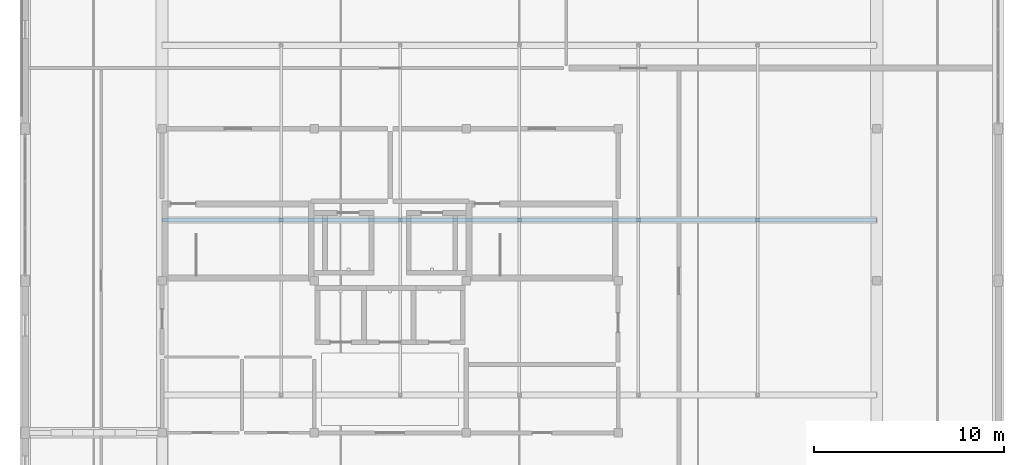
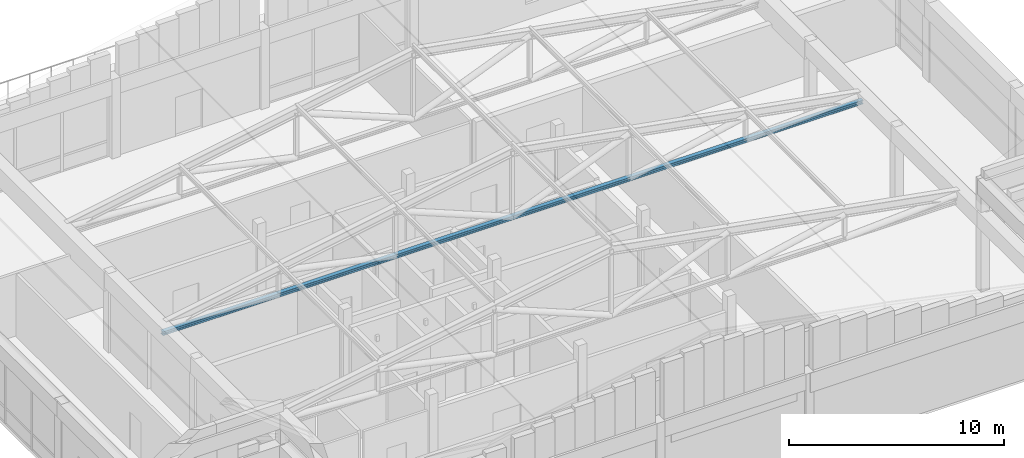
# One storey, part 8 of 24: 1 member.
"""IFC4 building model written with IfcOpenShell, lengths in metres."""

from ifc_helpers import new_model, si_unit, direction, frame, origin, origin_2d, place, context, subcontext, project, spatial, i_section, extrude, material, material_profile, profile_set, type_object, element, save


model = new_model("IFC4")

# Units and contexts
model_context = context("Model", 3, precision=1e-05, world=origin(), true_north=direction((0.0, 1.0)))
body_context = subcontext(model_context, "Body", "Model", "MODEL_VIEW")
ifc_project = project(units=[si_unit("LENGTHUNIT", "METRE"), si_unit("AREAUNIT", "SQUARE_METRE"), si_unit("VOLUMEUNIT", "CUBIC_METRE"), si_unit("PLANEANGLEUNIT", "RADIAN"), si_unit("MASSUNIT", "GRAM", prefix="KILO")], contexts=[model_context])

# Site, building, storey
site_placement = place(None, origin())
site = spatial("IfcSite", under=ifc_project, at=site_placement, CompositionType="ELEMENT")
building_placement = place(site_placement, origin())
building = spatial("IfcBuilding", under=site, at=building_placement, Name="Vellmiral Cinema and Media Centre", CompositionType="ELEMENT")
storey_placement = place(building_placement, frame((0.0, 0.0, 66.60009765625)))
storey = spatial("IfcBuildingStorey", under=building, at=storey_placement, Name="L16", CompositionType="ELEMENT", Elevation=66.60009765625)

# Member
ifc_material = material(Name="Steel S355", Category="steel")
ifc_material_profile = material_profile(ifc_material, i_section(OverallWidth=0.219970703125, OverallDepth=0.219970703125, WebThickness=0.009521484375, FlangeThickness=0.01611328125, FilletRadius=0.01806640625, at=origin_2d()), Name="HEB 220")
ifc_profile_set = profile_set([ifc_material_profile], Name="Steel S355")
member_type = type_object("IfcMemberType", Name="TCH-HEB220", PredefinedType="CHORD", material=ifc_profile_set)
member_placement = place(storey_placement, frame((124.0, 90.39990234375, 3.849853515625), z_axis=(1.0, 0.0, 0.0), x_axis=(0.0, 1.0, 0.0)))
element("IfcMember", 1, at=member_placement, inside=storey, type_object=member_type, Name="Roof Truss TR-10.2 Bottom Chord", PredefinedType="CHORD", context=body_context, shape_type="SweptSolid", body=[
    extrude(i_section(OverallWidth=0.219970703125, OverallDepth=0.219970703125, WebThickness=0.009521484375, FlangeThickness=0.01611328125, FilletRadius=0.01806640625, at=origin_2d()), origin(), (0.0, 0.0, 1.0), 37.60009765625),
])

save(model, "model.ifc")
